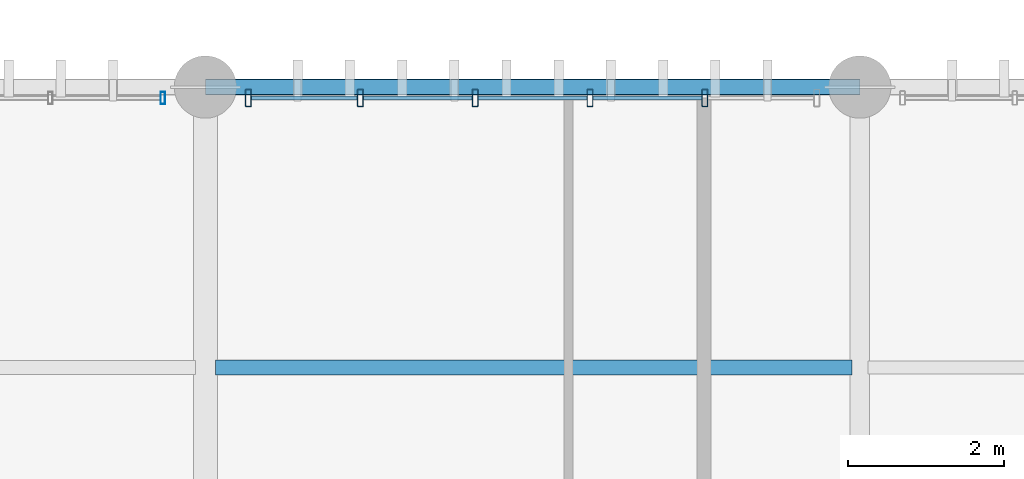
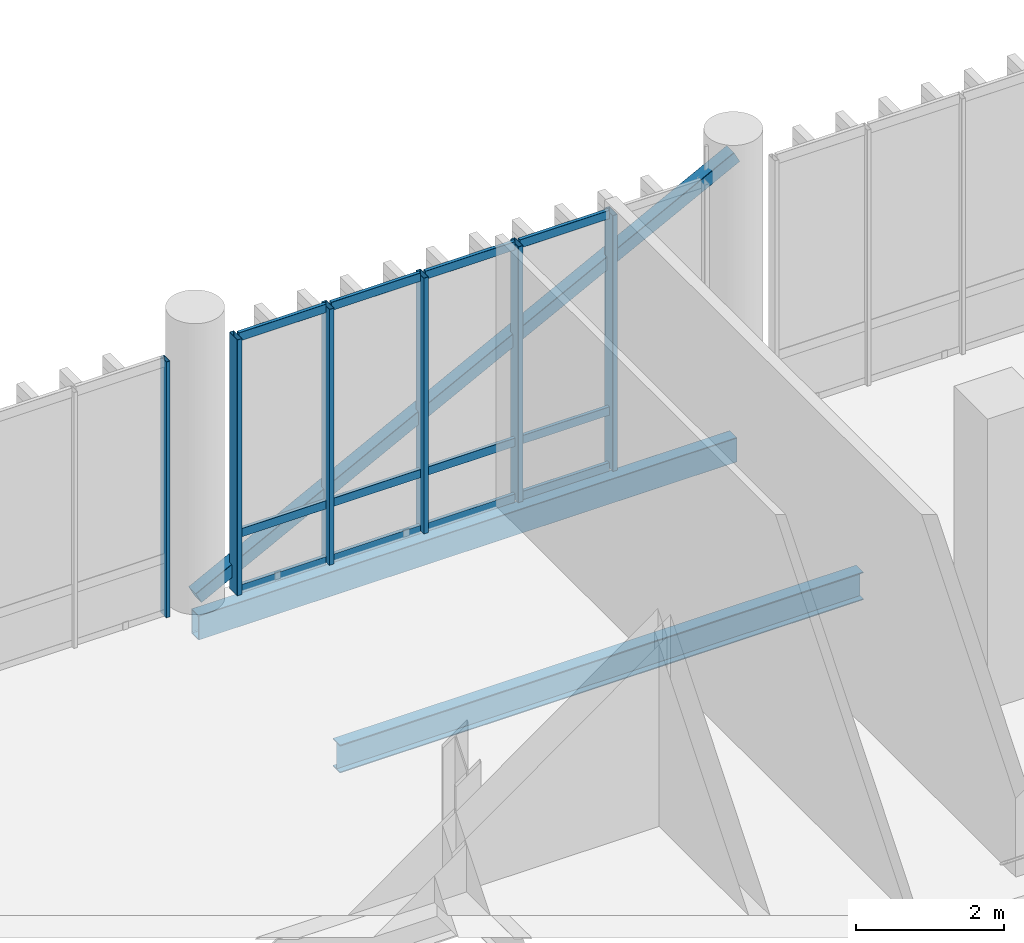
# One storey, part 43 of 109: 19 members, 2 beams, 2 elements without a shape of their own.
"""IFC4 building model written with IfcOpenShell, lengths in metres."""

from ifc_helpers import new_model, si_unit, direction, frame, origin_with_axes, origin_2d_with_axis, place, context, subcontext, project, spatial, hollow_rectangle, i_section, extrude, material, material_profile, profile_set, type_object, element, aggregate, save


model = new_model("IFC4")

# Units and contexts
model_context = context("Model", 3, precision=1e-05, world=origin_with_axes(), true_north=direction((0.0, 1.0)))
body_context = subcontext(model_context, "Body", "Model", "MODEL_VIEW")
ifc_project = project(units=[si_unit("LENGTHUNIT", "METRE"), si_unit("AREAUNIT", "SQUARE_METRE"), si_unit("VOLUMEUNIT", "CUBIC_METRE"), si_unit("PLANEANGLEUNIT", "RADIAN"), si_unit("MASSUNIT", "GRAM", prefix="KILO"), si_unit("THERMODYNAMICTEMPERATUREUNIT", "KELVIN")], contexts=[model_context])

# Site, building, storey
site_placement = place(None, origin_with_axes())
site = spatial("IfcSite", under=ifc_project, at=site_placement, CompositionType="ELEMENT")
building_placement = place(site_placement, origin_with_axes())
building = spatial("IfcBuilding", under=site, at=building_placement, Name="Montbau Bow Law Courts", CompositionType="ELEMENT")
storey_placement = place(building_placement, frame((0.0, 0.0, 10.8), z_axis=(0.0, 0.0, 1.0), x_axis=(1.0, 0.0, 0.0)))
storey = spatial("IfcBuildingStorey", under=building, at=storey_placement, Name="L02", CompositionType="ELEMENT", Elevation=10.8)

# Beams
ifc_material_1 = material(Name="Steel CSA G40.21 Grade 350W (350 MPa)", Category="steel")
ifc_material_profile_1 = material_profile(ifc_material_1, i_section(OverallWidth=0.191, OverallDepth=0.46, WebThickness=0.0099, FlangeThickness=0.016, at=origin_2d_with_axis()), Name="W460X82", Category="Main", Priority=0)
ifc_profile_set_1 = profile_set([ifc_material_profile_1], Name="Steel CSA G40.21 Grade 350W (350 MPa)")
beam_type_1 = type_object("IfcBeamType", Name="B-JST-01", PredefinedType="JOIST", material=ifc_profile_set_1)
beam_1_placement = place(None, frame((63.729, 58.2, 10.33), z_axis=(1.0, 0.0, 0.0), x_axis=(0.0, 1.0, 0.0)))
element("IfcBeam", 1, at=beam_1_placement, inside=storey, type_object=beam_type_1, Name="JST-L02-S0444:jst2_0444", PredefinedType="JOIST", context=body_context, shape_type="SweptSolid", body=[
    extrude(i_section(OverallWidth=0.191, OverallDepth=0.46, WebThickness=0.0099, FlangeThickness=0.016, at=origin_2d_with_axis()), origin_with_axes(), (0.0, 0.0, 1.0), 8.168),
])
ifc_material_2 = material(Name="Steel CSA G40.21 Grade 350WT (350 MPa)", Category="steel")
ifc_material_profile_2 = material_profile(ifc_material_2, hollow_rectangle(XDim=0.203, YDim=0.406, WallThickness=0.0127, InnerFilletRadius=0.0254, OuterFilletRadius=0.0127, at=origin_2d_with_axis()), Name="HSS406X203X13", Category="Main", Priority=0)
ifc_profile_set_2 = profile_set([ifc_material_profile_2], Name="Steel CSA G40.21 Grade 350WT (350 MPa)")
beam_type_2 = type_object("IfcBeamType", Name="B-SPN-01", PredefinedType="SPANDREL", material=ifc_profile_set_2)
beam_2_placement = place(None, frame((63.6, 61.8, 10.357), z_axis=(1.0, 0.0, 0.0), x_axis=(0.0, 1.0, 0.0)))
element("IfcBeam", 2, at=beam_2_placement, inside=storey, type_object=beam_type_2, Name="SPN-L02-S0853:bm2_0856", PredefinedType="SPANDREL", context=body_context, shape_type="SweptSolid", body=[
    extrude(hollow_rectangle(XDim=0.203, YDim=0.406, WallThickness=0.0127, InnerFilletRadius=0.0254, OuterFilletRadius=0.0127, at=origin_2d_with_axis()), origin_with_axes(), (0.0, 0.0, 1.0), 8.4),
])

# Member
ifc_material_profile_3 = material_profile(ifc_material_1, hollow_rectangle(XDim=0.203, YDim=0.203, WallThickness=0.0111, InnerFilletRadius=0.0222, OuterFilletRadius=0.0111, at=origin_2d_with_axis()), Name="HSS203X203X11", Category="Main", Priority=0)
ifc_profile_set_3 = profile_set([ifc_material_profile_3], Name="Steel CSA G40.21 Grade 350W (350 MPa)")
member_type_1 = type_object("IfcMemberType", Name="M-BRC-02", PredefinedType="BRACE", material=ifc_profile_set_3)
member_1_placement = place(None, frame((63.6, 61.8, 10.85), z_axis=(0.888512163, 0.0, 0.458853067), x_axis=(0.0, 1.0, 0.0)))
element("IfcMember", 3, at=member_1_placement, inside=storey, type_object=member_type_1, Name="Diagonal brace CBF-L02-056A", PredefinedType="BRACE", context=body_context, shape_type="SweptSolid", body=[
    extrude(hollow_rectangle(XDim=0.203, YDim=0.203, WallThickness=0.0111, InnerFilletRadius=0.0222, OuterFilletRadius=0.0111, at=origin_2d_with_axis()), origin_with_axes(), (0.0, 0.0, 1.0), 9.454007),
])

# Curtain wall, members
ifc_material_3 = material(Name="Thermally Broken Extruded Aluminium AA 6063-T6", Category="aluminium")
curtain_wall_type = type_object("IfcCurtainWallType", Name="CW-CRM-01", PredefinedType="NOTDEFINED", material=ifc_material_3)
curtain_wall_1_placement = place(None, frame((64.115, 61.66, 10.8), z_axis=(0.0, 0.0, 1.0), x_axis=(1.0, 0.0, 0.0)))
curtain_wall_1 = element("IfcCurtainWall", 4, at=curtain_wall_1_placement, inside=storey, type_object=curtain_wall_type, Name="CW-L02-165:cw_0165", PredefinedType="NOTDEFINED")
ifc_material_profile_4 = material_profile(ifc_material_3, hollow_rectangle(XDim=0.075, YDim=0.22, WallThickness=0.005, InnerFilletRadius=0.01, OuterFilletRadius=0.005, at=origin_2d_with_axis()), Name="CWM-220X75", Category="Main", Priority=0)
ifc_profile_set_4 = profile_set([ifc_material_profile_4], Name="Thermally Broken Extruded Aluminium AA 6063-T6")
member_type_2 = type_object("IfcMemberType", Name="M-MUL-01", PredefinedType="MULLION", material=ifc_profile_set_4)
member_2_placement = place(None, frame((64.152, 61.66, 10.8), z_axis=(0.0, 0.0, 1.0), x_axis=(1.0, 0.0, 0.0)))
member_2 = element("IfcMember", 5, at=member_2_placement, type_object=member_type_2, Name="CW-L02-165-M01:cw_0165_M01", PredefinedType="MULLION", context=body_context, shape_type="SweptSolid", body=[
    extrude(hollow_rectangle(XDim=0.075, YDim=0.22, WallThickness=0.005, InnerFilletRadius=0.01, OuterFilletRadius=0.005, at=origin_2d_with_axis()), origin_with_axes(), (0.0, 0.0, 1.0), 4.22),
])
member_3_placement = place(None, frame((65.589, 61.66, 10.8), z_axis=(0.0, 0.0, 1.0), x_axis=(1.0, 0.0, 0.0)))
member_3 = element("IfcMember", 6, at=member_3_placement, type_object=member_type_2, Name="CW-L02-165-M02:cw_0165_M02", PredefinedType="MULLION", context=body_context, shape_type="SweptSolid", body=[
    extrude(hollow_rectangle(XDim=0.075, YDim=0.22, WallThickness=0.005, InnerFilletRadius=0.01, OuterFilletRadius=0.005, at=origin_2d_with_axis()), origin_with_axes(), (0.0, 0.0, 1.0), 4.22),
])
member_4_placement = place(None, frame((67.063, 61.66, 10.8), z_axis=(0.0, 0.0, 1.0), x_axis=(1.0, 0.0, 0.0)))
member_4 = element("IfcMember", 7, at=member_4_placement, type_object=member_type_2, Name="CW-L02-165-M03:cw_0165_M03", PredefinedType="MULLION", context=body_context, shape_type="SweptSolid", body=[
    extrude(hollow_rectangle(XDim=0.075, YDim=0.22, WallThickness=0.005, InnerFilletRadius=0.01, OuterFilletRadius=0.005, at=origin_2d_with_axis()), origin_with_axes(), (0.0, 0.0, 1.0), 4.22),
])
member_5_placement = place(None, frame((68.537, 61.66, 10.8), z_axis=(0.0, 0.0, 1.0), x_axis=(1.0, 0.0, 0.0)))
member_5 = element("IfcMember", 8, at=member_5_placement, type_object=member_type_2, Name="CW-L02-165-M04:cw_0165_M04", PredefinedType="MULLION", context=body_context, shape_type="SweptSolid", body=[
    extrude(hollow_rectangle(XDim=0.075, YDim=0.22, WallThickness=0.005, InnerFilletRadius=0.01, OuterFilletRadius=0.005, at=origin_2d_with_axis()), origin_with_axes(), (0.0, 0.0, 1.0), 4.22),
])
member_6_placement = place(None, frame((70.011, 61.66, 10.8), z_axis=(0.0, 0.0, 1.0), x_axis=(1.0, 0.0, 0.0)))
member_6 = element("IfcMember", 9, at=member_6_placement, type_object=member_type_2, Name="CW-L02-165-M05:cw_0165_M05", PredefinedType="MULLION", context=body_context, shape_type="SweptSolid", body=[
    extrude(hollow_rectangle(XDim=0.075, YDim=0.22, WallThickness=0.005, InnerFilletRadius=0.01, OuterFilletRadius=0.005, at=origin_2d_with_axis()), origin_with_axes(), (0.0, 0.0, 1.0), 4.22),
])

# Curtain wall, member
curtain_wall_2_placement = place(None, frame((55.715, 61.66, 10.8), z_axis=(0.0, 0.0, 1.0), x_axis=(1.0, 0.0, 0.0)))
curtain_wall_2 = element("IfcCurtainWall", 10, at=curtain_wall_2_placement, inside=storey, type_object=curtain_wall_type, Name="CW-L02-164:cw_0164", PredefinedType="NOTDEFINED")
ifc_material_profile_5 = material_profile(ifc_material_3, hollow_rectangle(XDim=0.06, YDim=0.16, WallThickness=0.004, InnerFilletRadius=0.008, OuterFilletRadius=0.004, at=origin_2d_with_axis()), Name="CWM-160X60", Category="Main", Priority=0)
ifc_profile_set_5 = profile_set([ifc_material_profile_5], Name="Thermally Broken Extruded Aluminium AA 6063-T6")
member_type_3 = type_object("IfcMemberType", Name="M-MUL-03", PredefinedType="MULLION", material=ifc_profile_set_5)
member_7_placement = place(None, frame((63.055, 61.66, 10.8), z_axis=(0.0, 0.0, 1.0), x_axis=(1.0, 0.0, 0.0)))
member_7 = element("IfcMember", 11, at=member_7_placement, type_object=member_type_3, Name="CW-L02-164-M06:cw_0164_M06", PredefinedType="MULLION", context=body_context, shape_type="SweptSolid", body=[
    extrude(hollow_rectangle(XDim=0.06, YDim=0.16, WallThickness=0.004, InnerFilletRadius=0.008, OuterFilletRadius=0.004, at=origin_2d_with_axis()), origin_with_axes(), (0.0, 0.0, 1.0), 4.22),
])
aggregate(curtain_wall_2, [member_7])

# Member
ifc_material_profile_6 = material_profile(ifc_material_3, hollow_rectangle(XDim=0.055, YDim=0.14, WallThickness=0.004, InnerFilletRadius=0.008, OuterFilletRadius=0.004, at=origin_2d_with_axis()), Name="CWT-140X55", Category="Main", Priority=0)
ifc_profile_set_6 = profile_set([ifc_material_profile_6], Name="Thermally Broken Extruded Aluminium AA 6063-T6")
member_type_4 = type_object("IfcMemberType", Name="M-TRN-02", PredefinedType="USERDEFINED", material=ifc_profile_set_6)
member_8_placement = place(None, frame((64.191, 61.66, 10.828), z_axis=(1.0, 0.0, 0.0), x_axis=(0.0, 1.0, 0.0)))
member_8 = element("IfcMember", 12, at=member_8_placement, type_object=member_type_4, Name="CW-L02-165-T01-1:cw_0165_T01_1", ObjectType="TRANSOM", PredefinedType="USERDEFINED", context=body_context, shape_type="SweptSolid", body=[
    extrude(hollow_rectangle(XDim=0.055, YDim=0.14, WallThickness=0.004, InnerFilletRadius=0.008, OuterFilletRadius=0.004, at=origin_2d_with_axis()), origin_with_axes(), (0.0, 0.0, 1.0), 1.358),
])

member_9_placement = place(None, frame((64.191, 61.66, 11.75), z_axis=(1.0, 0.0, 0.0), x_axis=(0.0, 1.0, 0.0)))
member_9 = element("IfcMember", 13, at=member_9_placement, type_object=member_type_4, Name="CW-L02-165-T01-2:cw_0165_T01_2", ObjectType="TRANSOM", PredefinedType="USERDEFINED", context=body_context, shape_type="SweptSolid", body=[
    extrude(hollow_rectangle(XDim=0.055, YDim=0.14, WallThickness=0.004, InnerFilletRadius=0.008, OuterFilletRadius=0.004, at=origin_2d_with_axis()), origin_with_axes(), (0.0, 0.0, 1.0), 1.358),
])

member_10_placement = place(None, frame((64.191, 61.66, 14.992), z_axis=(1.0, 0.0, 0.0), x_axis=(0.0, 1.0, 0.0)))
member_10 = element("IfcMember", 14, at=member_10_placement, type_object=member_type_4, Name="CW-L02-165-T01-3:cw_0165_T01_3", ObjectType="TRANSOM", PredefinedType="USERDEFINED", context=body_context, shape_type="SweptSolid", body=[
    extrude(hollow_rectangle(XDim=0.055, YDim=0.14, WallThickness=0.004, InnerFilletRadius=0.008, OuterFilletRadius=0.004, at=origin_2d_with_axis()), origin_with_axes(), (0.0, 0.0, 1.0), 1.358),
])

member_11_placement = place(None, frame((65.629, 61.66, 10.828), z_axis=(1.0, 0.0, 0.0), x_axis=(0.0, 1.0, 0.0)))
member_11 = element("IfcMember", 15, at=member_11_placement, type_object=member_type_4, Name="CW-L02-165-T02-1:cw_0165_T02_1", ObjectType="TRANSOM", PredefinedType="USERDEFINED", context=body_context, shape_type="SweptSolid", body=[
    extrude(hollow_rectangle(XDim=0.055, YDim=0.14, WallThickness=0.004, InnerFilletRadius=0.008, OuterFilletRadius=0.004, at=origin_2d_with_axis()), origin_with_axes(), (0.0, 0.0, 1.0), 1.395),
])

member_12_placement = place(None, frame((65.629, 61.66, 11.75), z_axis=(1.0, 0.0, 0.0), x_axis=(0.0, 1.0, 0.0)))
member_12 = element("IfcMember", 16, at=member_12_placement, type_object=member_type_4, Name="CW-L02-165-T02-2:cw_0165_T02_2", ObjectType="TRANSOM", PredefinedType="USERDEFINED", context=body_context, shape_type="SweptSolid", body=[
    extrude(hollow_rectangle(XDim=0.055, YDim=0.14, WallThickness=0.004, InnerFilletRadius=0.008, OuterFilletRadius=0.004, at=origin_2d_with_axis()), origin_with_axes(), (0.0, 0.0, 1.0), 1.395),
])

member_13_placement = place(None, frame((65.629, 61.66, 14.992), z_axis=(1.0, 0.0, 0.0), x_axis=(0.0, 1.0, 0.0)))
member_13 = element("IfcMember", 17, at=member_13_placement, type_object=member_type_4, Name="CW-L02-165-T02-3:cw_0165_T02_3", ObjectType="TRANSOM", PredefinedType="USERDEFINED", context=body_context, shape_type="SweptSolid", body=[
    extrude(hollow_rectangle(XDim=0.055, YDim=0.14, WallThickness=0.004, InnerFilletRadius=0.008, OuterFilletRadius=0.004, at=origin_2d_with_axis()), origin_with_axes(), (0.0, 0.0, 1.0), 1.395),
])

member_14_placement = place(None, frame((67.102, 61.66, 10.828), z_axis=(1.0, 0.0, 0.0), x_axis=(0.0, 1.0, 0.0)))
member_14 = element("IfcMember", 18, at=member_14_placement, type_object=member_type_4, Name="CW-L02-165-T03-1:cw_0165_T03_1", ObjectType="TRANSOM", PredefinedType="USERDEFINED", context=body_context, shape_type="SweptSolid", body=[
    extrude(hollow_rectangle(XDim=0.055, YDim=0.14, WallThickness=0.004, InnerFilletRadius=0.008, OuterFilletRadius=0.004, at=origin_2d_with_axis()), origin_with_axes(), (0.0, 0.0, 1.0), 1.396),
])

member_15_placement = place(None, frame((67.102, 61.66, 11.75), z_axis=(1.0, 0.0, 0.0), x_axis=(0.0, 1.0, 0.0)))
member_15 = element("IfcMember", 19, at=member_15_placement, type_object=member_type_4, Name="CW-L02-165-T03-2:cw_0165_T03_2", ObjectType="TRANSOM", PredefinedType="USERDEFINED", context=body_context, shape_type="SweptSolid", body=[
    extrude(hollow_rectangle(XDim=0.055, YDim=0.14, WallThickness=0.004, InnerFilletRadius=0.008, OuterFilletRadius=0.004, at=origin_2d_with_axis()), origin_with_axes(), (0.0, 0.0, 1.0), 1.396),
])

member_16_placement = place(None, frame((67.102, 61.66, 14.992), z_axis=(1.0, 0.0, 0.0), x_axis=(0.0, 1.0, 0.0)))
member_16 = element("IfcMember", 20, at=member_16_placement, type_object=member_type_4, Name="CW-L02-165-T03-3:cw_0165_T03_3", ObjectType="TRANSOM", PredefinedType="USERDEFINED", context=body_context, shape_type="SweptSolid", body=[
    extrude(hollow_rectangle(XDim=0.055, YDim=0.14, WallThickness=0.004, InnerFilletRadius=0.008, OuterFilletRadius=0.004, at=origin_2d_with_axis()), origin_with_axes(), (0.0, 0.0, 1.0), 1.396),
])

member_17_placement = place(None, frame((68.576, 61.66, 10.828), z_axis=(1.0, 0.0, 0.0), x_axis=(0.0, 1.0, 0.0)))
member_17 = element("IfcMember", 21, at=member_17_placement, type_object=member_type_4, Name="CW-L02-165-T04-1:cw_0165_T04_1", ObjectType="TRANSOM", PredefinedType="USERDEFINED", context=body_context, shape_type="SweptSolid", body=[
    extrude(hollow_rectangle(XDim=0.055, YDim=0.14, WallThickness=0.004, InnerFilletRadius=0.008, OuterFilletRadius=0.004, at=origin_2d_with_axis()), origin_with_axes(), (0.0, 0.0, 1.0), 1.396),
])

member_18_placement = place(None, frame((68.576, 61.66, 11.75), z_axis=(1.0, 0.0, 0.0), x_axis=(0.0, 1.0, 0.0)))
member_18 = element("IfcMember", 22, at=member_18_placement, type_object=member_type_4, Name="CW-L02-165-T04-2:cw_0165_T04_2", ObjectType="TRANSOM", PredefinedType="USERDEFINED", context=body_context, shape_type="SweptSolid", body=[
    extrude(hollow_rectangle(XDim=0.055, YDim=0.14, WallThickness=0.004, InnerFilletRadius=0.008, OuterFilletRadius=0.004, at=origin_2d_with_axis()), origin_with_axes(), (0.0, 0.0, 1.0), 1.396),
])

member_19_placement = place(None, frame((68.576, 61.66, 14.992), z_axis=(1.0, 0.0, 0.0), x_axis=(0.0, 1.0, 0.0)))
member_19 = element("IfcMember", 23, at=member_19_placement, type_object=member_type_4, Name="CW-L02-165-T04-3:cw_0165_T04_3", ObjectType="TRANSOM", PredefinedType="USERDEFINED", context=body_context, shape_type="SweptSolid", body=[
    extrude(hollow_rectangle(XDim=0.055, YDim=0.14, WallThickness=0.004, InnerFilletRadius=0.008, OuterFilletRadius=0.004, at=origin_2d_with_axis()), origin_with_axes(), (0.0, 0.0, 1.0), 1.396),
])

aggregate(curtain_wall_1, [member_2, member_3, member_4, member_5, member_6, member_8, member_9, member_10, member_11, member_12, member_13, member_14, member_15, member_16, member_17, member_18, member_19])

save(model, "model.ifc")
